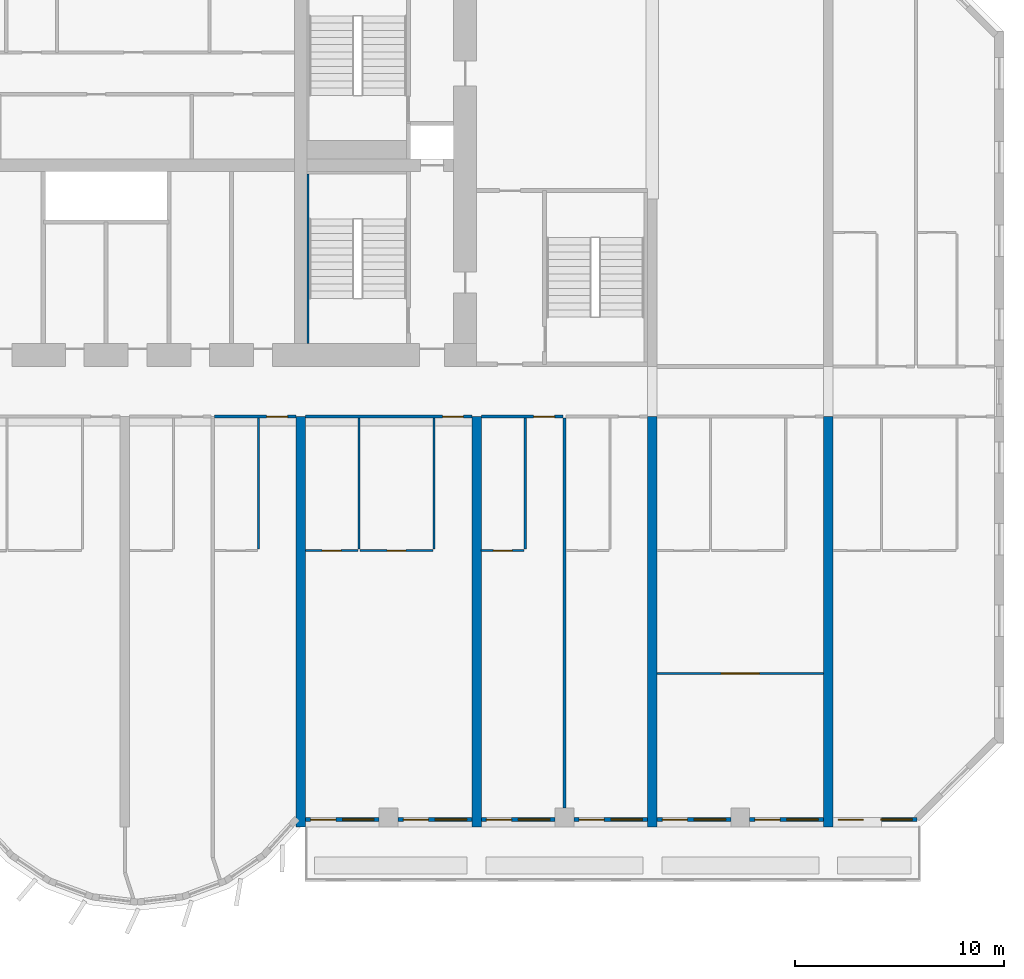
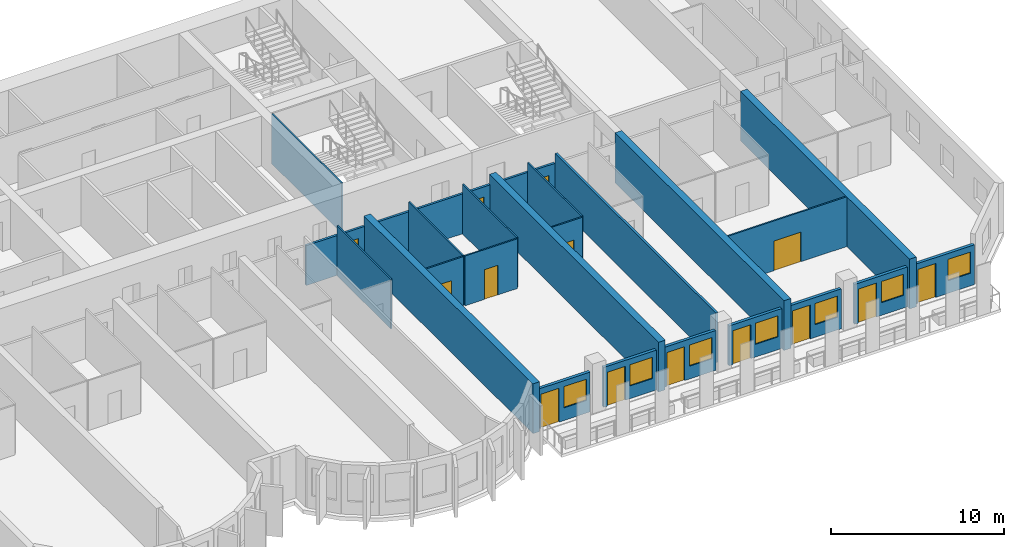
# One storey, part 8 of 14: 24 walls, 14 doors, 7 windows, 21 openings.
"""IFC4 building model written with IfcOpenShell, lengths in metres."""

from ifc_helpers import new_model, si_unit, direction, frame, frame_2d, origin, place, context, subcontext, project, spatial, rectangle, extrude, source, transform, mapped, material, layer, layer_set, type_object, element, fill, save


model = new_model("IFC4")

# Units and contexts
model_context = context("Model", 3, precision=1e-05, world=origin(), true_north=direction((0.0, 1.0)))
body_context = subcontext(model_context, "Body", "Model", "MODEL_VIEW")
ifc_project = project(units=[si_unit("LENGTHUNIT", "METRE"), si_unit("AREAUNIT", "SQUARE_METRE"), si_unit("VOLUMEUNIT", "CUBIC_METRE"), si_unit("PLANEANGLEUNIT", "RADIAN"), si_unit("MASSUNIT", "GRAM", prefix="KILO")], contexts=[model_context])

# Site, building, storey
site_placement = place(None, origin())
site = spatial("IfcSite", under=ifc_project, at=site_placement, CompositionType="ELEMENT")
building_placement = place(site_placement, origin())
building = spatial("IfcBuilding", under=site, at=building_placement, Name="Vanashikhar Sky Hotel", CompositionType="ELEMENT")
storey_placement = place(building_placement, frame((0.0, 0.0, 43.0)))
storey = spatial("IfcBuildingStorey", under=building, at=storey_placement, Name="L09", CompositionType="ELEMENT", Elevation=43.0)

# Walls
ifc_material_1 = material(Name="Concrete M80", Category="concrete")
ifc_layer_1 = layer(ifc_material_1, 0.449951171875)
ifc_layer_set_1 = layer_set([ifc_layer_1], Name="RC shear wall 450 Concrete M80")
wall_type_1 = type_object("IfcWallType", Name="RC shear wall 450 Concrete M80", PredefinedType="SHEAR", material=ifc_layer_set_1)
shared_shape_1 = source(origin(), body_context, "Body", "SweptSolid", [
    extrude(rectangle(XDim=19.60009765625, YDim=0.449951171875, at=frame_2d((9.800048828125, 0.0))), origin(), (0.0, 0.0, 1.0), 3.52001953125),
])
for number, where, z_axis, x_axis, name in (
    (1, (67.199951171875, 0.0, 0.0), (0.0, 0.0, 1.0), (0.0, 1.0, 0.0), "CW-L09-XW09-1"),
    (2, (75.60009765625, 0.0, 0.0), (0.0, 0.0, 1.0), (0.0, 1.0, 0.0), "CW-L09-XW10-1"),
    (3, (84.0, 0.0, 0.0), (0.0, 0.0, 1.0), (0.0, 1.0, 0.0), "CW-L09-XW11-1"),
    (4, (92.39990234375, 0.0, 0.0), (0.0, 0.0, 1.0), (0.0, 1.0, 0.0), "CW-L09-XW12-1"),
):
    element("IfcWall", number, at=place(storey_placement, frame(where, z_axis=z_axis, x_axis=x_axis)), inside=storey, type_object=wall_type_1, Name=name, PredefinedType="SHEAR", context=body_context, shape_type="MappedRepresentation", body=[
        mapped(shared_shape_1, transform((0.0, 0.0, 0.0), scale=1.0)),
    ])

# Wall, openings, window, door
ifc_material_2 = material(Name="Concrete M50", Category="concrete")
ifc_layer_2 = layer(ifc_material_2, 0.199951171875)
ifc_layer_set_2 = layer_set([ifc_layer_2], Name="Front window wall 200")
wall_type_2 = type_object("IfcWallType", Name="Front window wall 200", PredefinedType="SOLIDWALL", material=ifc_layer_set_2)
shared_shape_2 = source(origin(), body_context, "Body", "SweptSolid", [
    extrude(rectangle(XDim=4.030029296875, YDim=0.199951171875, at=frame_2d((2.01513671875, 0.0))), origin(), (0.0, 0.0, 1.0), 2.820068359375),
])
wall_1_placement = place(storey_placement, frame((92.625, 0.35009765625, 0.0), z_axis=(0.0, 0.0, 1.0), x_axis=(1.0, 0.0, 0.0)))
wall_1 = element("IfcWall", 5, at=wall_1_placement, inside=storey, type_object=wall_type_2, Name="Front window wall", PredefinedType="SOLIDWALL", context=body_context, shape_type="MappedRepresentation", body=[
    mapped(shared_shape_2, transform((0.0, 0.0, 0.0), scale=1.0)),
])
shared_shape_3 = source(origin(), body_context, "Body", "SweptSolid", [
    extrude(rectangle(XDim=1.199951171875, YDim=2.39990234375, at=frame_2d((0.60009765625, 1.199951171875))), frame((0.0, 0.10986328125, 0.0), z_axis=(0.0, -1.0, 0.0), x_axis=(1.0, 0.0, 0.0)), (0.0, 0.0, 1.0), 0.219970703125),
])
opening_1_placement = place(wall_1_placement, frame((0.25, 0.0, 0.0)))
opening_1 = element("IfcOpeningElement", 6, at=opening_1_placement, cuts=wall_1, Name="Opening BD-14", PredefinedType="OPENING", context=body_context, shape_type="MappedRepresentation", body=[
    mapped(shared_shape_3, transform((0.0, 0.0, 0.0), scale=1.0)),
])
shared_shape_4 = source(origin(), body_context, "Body", "SweptSolid", [
    extrude(rectangle(XDim=1.5, YDim=1.5, at=frame_2d((0.75, 0.75))), frame((0.0, 0.10986328125, 0.0), z_axis=(0.0, -1.0, 0.0), x_axis=(1.0, 0.0, 0.0)), (0.0, 0.0, 1.0), 0.219970703125),
])
opening_2_placement = place(wall_1_placement, frame((2.280029296875, 0.0, 0.89990234375)))
opening_2 = element("IfcOpeningElement", 7, at=opening_2_placement, cuts=wall_1, Name="Opening WN-1", PredefinedType="OPENING", context=body_context, shape_type="MappedRepresentation", body=[
    mapped(shared_shape_4, transform((0.0, 0.0, 0.0), scale=1.0)),
])
ifc_material_3 = material(Name="Glass", Category="glass")
window_type = type_object("IfcWindowType", Name="Window 1500 x 1500", PartitioningType="SINGLE_PANEL", PredefinedType="WINDOW", material=ifc_material_3)
shared_shape_5 = source(origin(), body_context, "Body", "SweptSolid", [
    extrude(rectangle(XDim=1.5, YDim=1.5, at=frame_2d((0.75, 0.75))), frame((0.0, 0.030029296875, 0.0), z_axis=(0.0, -1.0, 0.0), x_axis=(1.0, 0.0, 0.0)), (0.0, 0.0, 1.0), 0.06005859375),
])
window_1_placement = place(opening_2_placement, origin())
window_1 = element("IfcWindow", 8, at=window_1_placement, inside=storey, type_object=window_type, Name="Window WN-1", OverallHeight=1.5, OverallWidth=1.5, PartitioningType="SINGLE_PANEL", PredefinedType="WINDOW", context=body_context, shape_type="MappedRepresentation", body=[
    mapped(shared_shape_5, transform((0.0, 0.0, 0.0), scale=1.0)),
])
fill(opening_2, window_1)
ifc_material_4 = material(Name="Aluminium", Category="aluminium")
door_type_1 = type_object("IfcDoorType", Name="Balcony sliding door 1200 x 2400", OperationType="NOTDEFINED", PredefinedType="DOOR", material=ifc_material_4)
shared_shape_6 = source(origin(), body_context, "Body", "SweptSolid", [
    extrude(rectangle(XDim=1.199951171875, YDim=2.39990234375, at=frame_2d((0.60009765625, 1.199951171875))), frame((0.0, 0.02490234375, 0.0), z_axis=(0.0, -1.0, 0.0), x_axis=(1.0, 0.0, 0.0)), (0.0, 0.0, 1.0), 0.050048828125),
])
door_1_placement = place(opening_1_placement, origin())
door_1 = element("IfcDoor", 9, at=door_1_placement, inside=storey, type_object=door_type_1, Name="Balcony sliding door", OperationType="SLIDING_TO_RIGHT", OverallHeight=2.39990234375, OverallWidth=1.199951171875, PredefinedType="DOOR", context=body_context, shape_type="MappedRepresentation", body=[
    mapped(shared_shape_6, transform((0.0, 0.0, 0.0), scale=1.0)),
])
fill(opening_1, door_1)

shared_shape_7 = source(origin(), body_context, "Body", "SweptSolid", [
    extrude(rectangle(XDim=3.52490234375, YDim=0.199951171875, at=frame_2d((1.762451171875, 0.0))), origin(), (0.0, 0.0, 1.0), 2.820068359375),
])
wall_2_placement = place(storey_placement, frame((67.425048828125, 0.35009765625, 0.0), z_axis=(0.0, 0.0, 1.0), x_axis=(1.0, 0.0, 0.0)))
wall_2 = element("IfcWall", 10, at=wall_2_placement, inside=storey, type_object=wall_type_2, Name="Front window wall", PredefinedType="SOLIDWALL", context=body_context, shape_type="MappedRepresentation", body=[
    mapped(shared_shape_7, transform((0.0, 0.0, 0.0), scale=1.0)),
])
opening_3_placement = place(wall_2_placement, frame((0.25, 0.0, 0.0)))
opening_3 = element("IfcOpeningElement", 11, at=opening_3_placement, cuts=wall_2, Name="Opening BD-08", PredefinedType="OPENING", context=body_context, shape_type="MappedRepresentation", body=[
    mapped(shared_shape_3, transform((0.0, 0.0, 0.0), scale=1.0)),
])
opening_4_placement = place(wall_2_placement, frame((1.77490234375, 0.0, 0.89990234375)))
opening_4 = element("IfcOpeningElement", 12, at=opening_4_placement, cuts=wall_2, Name="Opening WN-1", PredefinedType="OPENING", context=body_context, shape_type="MappedRepresentation", body=[
    mapped(shared_shape_4, transform((0.0, 0.0, 0.0), scale=1.0)),
])
window_2_placement = place(opening_4_placement, origin())
window_2 = element("IfcWindow", 13, at=window_2_placement, inside=storey, type_object=window_type, Name="Window WN-1", OverallHeight=1.5, OverallWidth=1.5, PartitioningType="SINGLE_PANEL", PredefinedType="WINDOW", context=body_context, shape_type="MappedRepresentation", body=[
    mapped(shared_shape_5, transform((0.0, 0.0, 0.0), scale=1.0)),
])
fill(opening_4, window_2)
door_2_placement = place(opening_3_placement, origin())
door_2 = element("IfcDoor", 14, at=door_2_placement, inside=storey, type_object=door_type_1, Name="Balcony sliding door", OperationType="SLIDING_TO_RIGHT", OverallHeight=2.39990234375, OverallWidth=1.199951171875, PredefinedType="DOOR", context=body_context, shape_type="MappedRepresentation", body=[
    mapped(shared_shape_6, transform((0.0, 0.0, 0.0), scale=1.0)),
])
fill(opening_3, door_2)

wall_3_placement = place(storey_placement, frame((71.85009765625, 0.35009765625, 0.0), z_axis=(0.0, 0.0, 1.0), x_axis=(1.0, 0.0, 0.0)))
wall_3 = element("IfcWall", 15, at=wall_3_placement, inside=storey, type_object=wall_type_2, Name="Front window wall", PredefinedType="SOLIDWALL", context=body_context, shape_type="MappedRepresentation", body=[
    mapped(shared_shape_7, transform((0.0, 0.0, 0.0), scale=1.0)),
])
opening_5_placement = place(wall_3_placement, frame((0.25, 0.0, 0.0)))
opening_5 = element("IfcOpeningElement", 16, at=opening_5_placement, cuts=wall_3, Name="Opening BD-09", PredefinedType="OPENING", context=body_context, shape_type="MappedRepresentation", body=[
    mapped(shared_shape_3, transform((0.0, 0.0, 0.0), scale=1.0)),
])
opening_6_placement = place(wall_3_placement, frame((1.77490234375, 0.0, 0.89990234375)))
opening_6 = element("IfcOpeningElement", 17, at=opening_6_placement, cuts=wall_3, Name="Opening WN-1", PredefinedType="OPENING", context=body_context, shape_type="MappedRepresentation", body=[
    mapped(shared_shape_4, transform((0.0, 0.0, 0.0), scale=1.0)),
])
window_3_placement = place(opening_6_placement, origin())
window_3 = element("IfcWindow", 18, at=window_3_placement, inside=storey, type_object=window_type, Name="Window WN-1", OverallHeight=1.5, OverallWidth=1.5, PartitioningType="SINGLE_PANEL", PredefinedType="WINDOW", context=body_context, shape_type="MappedRepresentation", body=[
    mapped(shared_shape_5, transform((0.0, 0.0, 0.0), scale=1.0)),
])
fill(opening_6, window_3)
door_3_placement = place(opening_5_placement, origin())
door_3 = element("IfcDoor", 19, at=door_3_placement, inside=storey, type_object=door_type_1, Name="Balcony sliding door", OperationType="SLIDING_TO_LEFT", OverallHeight=2.39990234375, OverallWidth=1.199951171875, PredefinedType="DOOR", context=body_context, shape_type="MappedRepresentation", body=[
    mapped(shared_shape_6, transform((0.0, 0.0, 0.0), scale=1.0)),
])
fill(opening_5, door_3)

wall_4_placement = place(storey_placement, frame((80.25, 0.35009765625, 0.0), z_axis=(0.0, 0.0, 1.0), x_axis=(1.0, 0.0, 0.0)))
wall_4 = element("IfcWall", 20, at=wall_4_placement, inside=storey, type_object=wall_type_2, Name="Front window wall", PredefinedType="SOLIDWALL", context=body_context, shape_type="MappedRepresentation", body=[
    mapped(shared_shape_7, transform((0.0, 0.0, 0.0), scale=1.0)),
])
opening_7_placement = place(wall_4_placement, frame((0.25, 0.0, 0.0)))
opening_7 = element("IfcOpeningElement", 21, at=opening_7_placement, cuts=wall_4, Name="Opening BD-11", PredefinedType="OPENING", context=body_context, shape_type="MappedRepresentation", body=[
    mapped(shared_shape_3, transform((0.0, 0.0, 0.0), scale=1.0)),
])
opening_8_placement = place(wall_4_placement, frame((1.77490234375, 0.0, 0.89990234375)))
opening_8 = element("IfcOpeningElement", 22, at=opening_8_placement, cuts=wall_4, Name="Opening WN-1", PredefinedType="OPENING", context=body_context, shape_type="MappedRepresentation", body=[
    mapped(shared_shape_4, transform((0.0, 0.0, 0.0), scale=1.0)),
])
window_4_placement = place(opening_8_placement, origin())
window_4 = element("IfcWindow", 23, at=window_4_placement, inside=storey, type_object=window_type, Name="Window WN-1", OverallHeight=1.5, OverallWidth=1.5, PartitioningType="SINGLE_PANEL", PredefinedType="WINDOW", context=body_context, shape_type="MappedRepresentation", body=[
    mapped(shared_shape_5, transform((0.0, 0.0, 0.0), scale=1.0)),
])
fill(opening_8, window_4)
door_4_placement = place(opening_7_placement, origin())
door_4 = element("IfcDoor", 24, at=door_4_placement, inside=storey, type_object=door_type_1, Name="Balcony sliding door", OperationType="SLIDING_TO_LEFT", OverallHeight=2.39990234375, OverallWidth=1.199951171875, PredefinedType="DOOR", context=body_context, shape_type="MappedRepresentation", body=[
    mapped(shared_shape_6, transform((0.0, 0.0, 0.0), scale=1.0)),
])
fill(opening_7, door_4)

wall_5_placement = place(storey_placement, frame((84.22509765625, 0.35009765625, 0.0), z_axis=(0.0, 0.0, 1.0), x_axis=(1.0, 0.0, 0.0)))
wall_5 = element("IfcWall", 25, at=wall_5_placement, inside=storey, type_object=wall_type_2, Name="Front window wall", PredefinedType="SOLIDWALL", context=body_context, shape_type="MappedRepresentation", body=[
    mapped(shared_shape_7, transform((0.0, 0.0, 0.0), scale=1.0)),
])
opening_9_placement = place(wall_5_placement, frame((0.25, 0.0, 0.0)))
opening_9 = element("IfcOpeningElement", 26, at=opening_9_placement, cuts=wall_5, Name="Opening BD-12", PredefinedType="OPENING", context=body_context, shape_type="MappedRepresentation", body=[
    mapped(shared_shape_3, transform((0.0, 0.0, 0.0), scale=1.0)),
])
opening_10_placement = place(wall_5_placement, frame((1.77490234375, 0.0, 0.89990234375)))
opening_10 = element("IfcOpeningElement", 27, at=opening_10_placement, cuts=wall_5, Name="Opening WN-1", PredefinedType="OPENING", context=body_context, shape_type="MappedRepresentation", body=[
    mapped(shared_shape_4, transform((0.0, 0.0, 0.0), scale=1.0)),
])
window_5_placement = place(opening_10_placement, origin())
window_5 = element("IfcWindow", 28, at=window_5_placement, inside=storey, type_object=window_type, Name="Window WN-1", OverallHeight=1.5, OverallWidth=1.5, PartitioningType="SINGLE_PANEL", PredefinedType="WINDOW", context=body_context, shape_type="MappedRepresentation", body=[
    mapped(shared_shape_5, transform((0.0, 0.0, 0.0), scale=1.0)),
])
fill(opening_10, window_5)
door_5_placement = place(opening_9_placement, origin())
door_5 = element("IfcDoor", 29, at=door_5_placement, inside=storey, type_object=door_type_1, Name="Balcony sliding door", OperationType="SLIDING_TO_RIGHT", OverallHeight=2.39990234375, OverallWidth=1.199951171875, PredefinedType="DOOR", context=body_context, shape_type="MappedRepresentation", body=[
    mapped(shared_shape_6, transform((0.0, 0.0, 0.0), scale=1.0)),
])
fill(opening_9, door_5)

shared_shape_8 = source(origin(), body_context, "Body", "SweptSolid", [
    extrude(rectangle(XDim=3.525146484375, YDim=0.199951171875, at=frame_2d((1.7626953125, 0.0))), origin(), (0.0, 0.0, 1.0), 2.820068359375),
])
wall_6_placement = place(storey_placement, frame((75.824951171875, 0.35009765625, 0.0), z_axis=(0.0, 0.0, 1.0), x_axis=(1.0, 0.0, 0.0)))
wall_6 = element("IfcWall", 30, at=wall_6_placement, inside=storey, type_object=wall_type_2, Name="Front window wall", PredefinedType="SOLIDWALL", context=body_context, shape_type="MappedRepresentation", body=[
    mapped(shared_shape_8, transform((0.0, 0.0, 0.0), scale=1.0)),
])
opening_11_placement = place(wall_6_placement, frame((0.25, 0.0, 0.0)))
opening_11 = element("IfcOpeningElement", 31, at=opening_11_placement, cuts=wall_6, Name="Opening BD-10", PredefinedType="OPENING", context=body_context, shape_type="MappedRepresentation", body=[
    mapped(shared_shape_3, transform((0.0, 0.0, 0.0), scale=1.0)),
])
opening_12_placement = place(wall_6_placement, frame((1.77490234375, 0.0, 0.89990234375)))
opening_12 = element("IfcOpeningElement", 32, at=opening_12_placement, cuts=wall_6, Name="Opening WN-1", PredefinedType="OPENING", context=body_context, shape_type="MappedRepresentation", body=[
    mapped(shared_shape_4, transform((0.0, 0.0, 0.0), scale=1.0)),
])
window_6_placement = place(opening_12_placement, origin())
window_6 = element("IfcWindow", 33, at=window_6_placement, inside=storey, type_object=window_type, Name="Window WN-1", OverallHeight=1.5, OverallWidth=1.5, PartitioningType="SINGLE_PANEL", PredefinedType="WINDOW", context=body_context, shape_type="MappedRepresentation", body=[
    mapped(shared_shape_5, transform((0.0, 0.0, 0.0), scale=1.0)),
])
fill(opening_12, window_6)
door_6_placement = place(opening_11_placement, origin())
door_6 = element("IfcDoor", 34, at=door_6_placement, inside=storey, type_object=door_type_1, Name="Balcony sliding door", OperationType="SLIDING_TO_RIGHT", OverallHeight=2.39990234375, OverallWidth=1.199951171875, PredefinedType="DOOR", context=body_context, shape_type="MappedRepresentation", body=[
    mapped(shared_shape_6, transform((0.0, 0.0, 0.0), scale=1.0)),
])
fill(opening_11, door_6)

wall_7_placement = place(storey_placement, frame((88.64990234375, 0.35009765625, 0.0), z_axis=(0.0, 0.0, 1.0), x_axis=(1.0, 0.0, 0.0)))
wall_7 = element("IfcWall", 35, at=wall_7_placement, inside=storey, type_object=wall_type_2, Name="Front window wall", PredefinedType="SOLIDWALL", context=body_context, shape_type="MappedRepresentation", body=[
    mapped(shared_shape_8, transform((0.0, 0.0, 0.0), scale=1.0)),
])
opening_13_placement = place(wall_7_placement, frame((0.25, 0.0, 0.0)))
opening_13 = element("IfcOpeningElement", 36, at=opening_13_placement, cuts=wall_7, Name="Opening BD-13", PredefinedType="OPENING", context=body_context, shape_type="MappedRepresentation", body=[
    mapped(shared_shape_3, transform((0.0, 0.0, 0.0), scale=1.0)),
])
opening_14_placement = place(wall_7_placement, frame((1.77490234375, 0.0, 0.89990234375)))
opening_14 = element("IfcOpeningElement", 37, at=opening_14_placement, cuts=wall_7, Name="Opening WN-1", PredefinedType="OPENING", context=body_context, shape_type="MappedRepresentation", body=[
    mapped(shared_shape_4, transform((0.0, 0.0, 0.0), scale=1.0)),
])
window_7_placement = place(opening_14_placement, origin())
window_7 = element("IfcWindow", 38, at=window_7_placement, inside=storey, type_object=window_type, Name="Window WN-1", OverallHeight=1.5, OverallWidth=1.5, PartitioningType="SINGLE_PANEL", PredefinedType="WINDOW", context=body_context, shape_type="MappedRepresentation", body=[
    mapped(shared_shape_5, transform((0.0, 0.0, 0.0), scale=1.0)),
])
fill(opening_14, window_7)
door_7_placement = place(opening_13_placement, origin())
door_7 = element("IfcDoor", 39, at=door_7_placement, inside=storey, type_object=door_type_1, Name="Balcony sliding door", OperationType="SLIDING_TO_LEFT", OverallHeight=2.39990234375, OverallWidth=1.199951171875, PredefinedType="DOOR", context=body_context, shape_type="MappedRepresentation", body=[
    mapped(shared_shape_6, transform((0.0, 0.0, 0.0), scale=1.0)),
])
fill(opening_13, door_7)

# Wall
ifc_layer_3 = layer(ifc_material_2, 0.10009765625)
ifc_layer_set_3 = layer_set([ifc_layer_3], Name="Stair infill wall 100")
wall_type_3 = type_object("IfcWallType", Name="Stair infill wall 100", PredefinedType="SOLIDWALL", material=ifc_layer_set_3)
shared_shape_9 = source(origin(), body_context, "Body", "SweptSolid", [
    extrude(rectangle(XDim=8.099853515625, YDim=0.10009765625, at=frame_2d((4.0498046875, 0.0))), origin(), (0.0, 0.0, 1.0), 3.52001953125),
])
wall_8_placement = place(storey_placement, frame((67.550048828125, 23.10009765625, 0.0), z_axis=(0.0, 0.0, 1.0), x_axis=(0.0, 1.0, 0.0)))
element("IfcWall", 40, at=wall_8_placement, inside=storey, type_object=wall_type_3, Name="Stair infill wall 100", PredefinedType="SOLIDWALL", context=body_context, shape_type="MappedRepresentation", body=[
    mapped(shared_shape_9, transform((0.0, 0.0, 0.0), scale=1.0)),
])

# Wall, opening, door
ifc_material_5 = material(Name="Gypsum plasterboard partition")
ifc_layer_4 = layer(ifc_material_5, 0.10009765625)
ifc_layer_set_4 = layer_set([ifc_layer_4], Name="Wet room partition 100")
wall_type_4 = type_object("IfcWallType", Name="Wet room partition 100", PredefinedType="PARTITIONING", material=ifc_layer_set_4)
shared_shape_10 = source(origin(), body_context, "Body", "SweptSolid", [
    extrude(rectangle(XDim=2.050048828125, YDim=0.10009765625, at=frame_2d((1.02490234375, 0.0))), origin(), (0.0, 0.0, 1.0), 3.52001953125),
])
wall_9_placement = place(storey_placement, frame((75.824951171875, 13.199951171875, 0.0), z_axis=(0.0, 0.0, 1.0), x_axis=(1.0, 0.0, 0.0)))
wall_9 = element("IfcWall", 41, at=wall_9_placement, inside=storey, type_object=wall_type_4, Name="W-L09-PW051", PredefinedType="PARTITIONING", context=body_context, shape_type="MappedRepresentation", body=[
    mapped(shared_shape_10, transform((0.0, 0.0, 0.0), scale=1.0)),
])
shared_shape_11 = source(origin(), body_context, "Body", "SweptSolid", [
    extrude(rectangle(XDim=0.89990234375, YDim=2.10009765625, at=frame_2d((0.449951171875, 1.050048828125))), frame((0.0, 0.06005859375, 0.0), z_axis=(0.0, -1.0, 0.0), x_axis=(1.0, 0.0, 0.0)), (0.0, 0.0, 1.0), 0.1201171875),
])
opening_15_placement = place(wall_9_placement, frame((0.574951171875, 0.0, 0.0)))
opening_15 = element("IfcOpeningElement", 42, at=opening_15_placement, cuts=wall_9, Name="Opening D-02", PredefinedType="OPENING", context=body_context, shape_type="MappedRepresentation", body=[
    mapped(shared_shape_11, transform((0.0, 0.0, 0.0), scale=1.0)),
])
ifc_material_6 = material(Name="Timber door", Category="wood")
door_type_2 = type_object("IfcDoorType", Name="Internal door 900", OperationType="NOTDEFINED", PredefinedType="DOOR", material=ifc_material_6)
shared_shape_12 = source(origin(), body_context, "Body", "SweptSolid", [
    extrude(rectangle(XDim=0.89990234375, YDim=2.10009765625, at=frame_2d((0.449951171875, 1.050048828125))), frame((0.0, 0.02490234375, 0.0), z_axis=(0.0, -1.0, 0.0), x_axis=(1.0, 0.0, 0.0)), (0.0, 0.0, 1.0), 0.050048828125),
])
door_8_placement = place(opening_15_placement, origin())
door_8 = element("IfcDoor", 43, at=door_8_placement, inside=storey, type_object=door_type_2, Name="D-L09-030", OperationType="SINGLE_SWING_RIGHT", OverallHeight=2.10009765625, OverallWidth=0.89990234375, PredefinedType="DOOR", context=body_context, shape_type="MappedRepresentation", body=[
    mapped(shared_shape_12, transform((0.0, 0.0, 0.0), scale=1.0)),
])
fill(opening_15, door_8)

ifc_layer_5 = layer(ifc_material_5, 0.14990234375)
ifc_layer_set_5 = layer_set([ifc_layer_5], Name="Corridor and demising partition 150")
wall_type_5 = type_object("IfcWallType", Name="Corridor and demising partition 150", PredefinedType="PARTITIONING", material=ifc_layer_set_5)
shared_shape_13 = source(origin(), body_context, "Body", "SweptSolid", [
    extrude(rectangle(XDim=3.900146484375, YDim=0.14990234375, at=frame_2d((1.9501953125, 0.0))), origin(), (0.0, 0.0, 1.0), 2.820068359375),
])
wall_10_placement = place(storey_placement, frame((63.074951171875, 19.60009765625, 0.0), z_axis=(0.0, 0.0, 1.0), x_axis=(1.0, 0.0, 0.0)))
wall_10 = element("IfcWall", 44, at=wall_10_placement, inside=storey, type_object=wall_type_5, Name="W-L09-PW043", PredefinedType="PARTITIONING", context=body_context, shape_type="MappedRepresentation", body=[
    mapped(shared_shape_13, transform((0.0, 0.0, 0.0), scale=1.0)),
])
shared_shape_14 = source(origin(), body_context, "Body", "SweptSolid", [
    extrude(rectangle(XDim=1.0, YDim=2.10009765625, at=frame_2d((0.5, 1.050048828125))), frame((0.0, 0.0849609375, 0.0), z_axis=(0.0, -1.0, 0.0), x_axis=(1.0, 0.0, 0.0)), (0.0, 0.0, 1.0), 0.169921875),
])
opening_16_placement = place(wall_10_placement, frame((2.5, 0.0, 0.0)))
opening_16 = element("IfcOpeningElement", 45, at=opening_16_placement, cuts=wall_10, Name="Opening D-01", PredefinedType="OPENING", context=body_context, shape_type="MappedRepresentation", body=[
    mapped(shared_shape_14, transform((0.0, 0.0, 0.0), scale=1.0)),
])
ifc_material_7 = material(Name="Timber fire door", Category="wood")
door_type_3 = type_object("IfcDoorType", Name="Guest entry door 1000 FD30S", OperationType="NOTDEFINED", PredefinedType="DOOR", material=ifc_material_7)
shared_shape_15 = source(origin(), body_context, "Body", "SweptSolid", [
    extrude(rectangle(XDim=1.0, YDim=2.10009765625, at=frame_2d((0.5, 1.050048828125))), frame((0.0, 0.02490234375, 0.0), z_axis=(0.0, -1.0, 0.0), x_axis=(1.0, 0.0, 0.0)), (0.0, 0.0, 1.0), 0.050048828125),
])
door_9_placement = place(opening_16_placement, origin())
door_9 = element("IfcDoor", 46, at=door_9_placement, inside=storey, type_object=door_type_3, Name="D-L09-026", OperationType="SINGLE_SWING_RIGHT", OverallHeight=2.10009765625, OverallWidth=1.0, PredefinedType="DOOR", context=body_context, shape_type="MappedRepresentation", body=[
    mapped(shared_shape_15, transform((0.0, 0.0, 0.0), scale=1.0)),
])
fill(opening_16, door_9)

wall_11_placement = place(storey_placement, frame((75.824951171875, 19.60009765625, 0.0), z_axis=(0.0, 0.0, 1.0), x_axis=(1.0, 0.0, 0.0)))
wall_11 = element("IfcWall", 47, at=wall_11_placement, inside=storey, type_object=wall_type_5, Name="W-L09-PW052", PredefinedType="PARTITIONING", context=body_context, shape_type="MappedRepresentation", body=[
    mapped(shared_shape_13, transform((0.0, 0.0, 0.0), scale=1.0)),
])
opening_17_placement = place(wall_11_placement, frame((2.5, 0.0, 0.0)))
opening_17 = element("IfcOpeningElement", 48, at=opening_17_placement, cuts=wall_11, Name="Opening D-01", PredefinedType="OPENING", context=body_context, shape_type="MappedRepresentation", body=[
    mapped(shared_shape_14, transform((0.0, 0.0, 0.0), scale=1.0)),
])
door_10_placement = place(opening_17_placement, origin())
door_10 = element("IfcDoor", 49, at=door_10_placement, inside=storey, type_object=door_type_3, Name="D-L09-031", OperationType="SINGLE_SWING_RIGHT", OverallHeight=2.10009765625, OverallWidth=1.0, PredefinedType="DOOR", context=body_context, shape_type="MappedRepresentation", body=[
    mapped(shared_shape_15, transform((0.0, 0.0, 0.0), scale=1.0)),
])
fill(opening_17, door_10)

# Wall
shared_shape_16 = source(origin(), body_context, "Body", "SweptSolid", [
    extrude(rectangle(XDim=18.625, YDim=0.14990234375, at=frame_2d((9.3125, 0.0))), origin(), (0.0, 0.0, 1.0), 3.52001953125),
])
wall_12_placement = place(storey_placement, frame((79.800048828125, 0.89990234375, 0.0), z_axis=(0.0, 0.0, 1.0), x_axis=(0.0, 1.0, 0.0)))
element("IfcWall", 50, at=wall_12_placement, inside=storey, type_object=wall_type_5, Name="W-L09-PW056", PredefinedType="PARTITIONING", context=body_context, shape_type="MappedRepresentation", body=[
    mapped(shared_shape_16, transform((0.0, 0.0, 0.0), scale=1.0)),
])

# Wall, opening, door
shared_shape_17 = source(origin(), body_context, "Body", "SweptSolid", [
    extrude(rectangle(XDim=3.5, YDim=0.10009765625, at=frame_2d((1.75, 0.0))), origin(), (0.0, 0.0, 1.0), 3.52001953125),
])
wall_13_placement = place(storey_placement, frame((70.02490234375, 13.199951171875, 0.0), z_axis=(0.0, 0.0, 1.0), x_axis=(1.0, 0.0, 0.0)))
wall_13 = element("IfcWall", 51, at=wall_13_placement, inside=storey, type_object=wall_type_4, Name="W-L09-PW047", PredefinedType="PARTITIONING", context=body_context, shape_type="MappedRepresentation", body=[
    mapped(shared_shape_17, transform((0.0, 0.0, 0.0), scale=1.0)),
])
opening_18_placement = place(wall_13_placement, frame((1.300048828125, 0.0, 0.0)))
opening_18 = element("IfcOpeningElement", 52, at=opening_18_placement, cuts=wall_13, Name="Opening D-02", PredefinedType="OPENING", context=body_context, shape_type="MappedRepresentation", body=[
    mapped(shared_shape_11, transform((0.0, 0.0, 0.0), scale=1.0)),
])
door_11_placement = place(opening_18_placement, origin())
door_11 = element("IfcDoor", 53, at=door_11_placement, inside=storey, type_object=door_type_2, Name="D-L09-027", OperationType="SINGLE_SWING_RIGHT", OverallHeight=2.10009765625, OverallWidth=0.89990234375, PredefinedType="DOOR", context=body_context, shape_type="MappedRepresentation", body=[
    mapped(shared_shape_12, transform((0.0, 0.0, 0.0), scale=1.0)),
])
fill(opening_18, door_11)

# Walls
shared_shape_18 = source(origin(), body_context, "Body", "SweptSolid", [
    extrude(rectangle(XDim=6.25, YDim=0.10009765625, at=frame_2d((3.125, 0.0))), origin(), (0.0, 0.0, 1.0), 3.52001953125),
])
for number, where, z_axis, x_axis, name in (
    (54, (65.175048828125, 13.27490234375, 0.0), (0.0, 0.0, 1.0), (0.0, 1.0, 0.0), "W-L09-PW041"),
    (55, (73.574951171875, 13.27490234375, 0.0), (0.0, 0.0, 1.0), (0.0, 1.0, 0.0), "W-L09-PW045"),
    (56, (69.97509765625, 13.27490234375, 0.0), (0.0, 0.0, 1.0), (0.0, 1.0, 0.0), "W-L09-PW046"),
    (57, (77.925048828125, 13.27490234375, 0.0), (0.0, 0.0, 1.0), (0.0, 1.0, 0.0), "W-L09-PW050"),
):
    element("IfcWall", number, at=place(storey_placement, frame(where, z_axis=z_axis, x_axis=x_axis)), inside=storey, type_object=wall_type_4, Name=name, PredefinedType="PARTITIONING", context=body_context, shape_type="MappedRepresentation", body=[
        mapped(shared_shape_18, transform((0.0, 0.0, 0.0), scale=1.0)),
    ])

# Wall, opening, door
shared_shape_19 = source(origin(), body_context, "Body", "SweptSolid", [
    extrude(rectangle(XDim=2.5, YDim=0.10009765625, at=frame_2d((1.25, 0.0))), origin(), (0.0, 0.0, 1.0), 3.52001953125),
])
wall_14_placement = place(storey_placement, frame((67.425048828125, 13.199951171875, 0.0), z_axis=(0.0, 0.0, 1.0), x_axis=(1.0, 0.0, 0.0)))
wall_14 = element("IfcWall", 58, at=wall_14_placement, inside=storey, type_object=wall_type_4, Name="W-L09-PW048", PredefinedType="PARTITIONING", context=body_context, shape_type="MappedRepresentation", body=[
    mapped(shared_shape_19, transform((0.0, 0.0, 0.0), scale=1.0)),
])
opening_19_placement = place(wall_14_placement, frame((0.800048828125, 0.0, 0.0)))
opening_19 = element("IfcOpeningElement", 59, at=opening_19_placement, cuts=wall_14, Name="Opening D-02", PredefinedType="OPENING", context=body_context, shape_type="MappedRepresentation", body=[
    mapped(shared_shape_11, transform((0.0, 0.0, 0.0), scale=1.0)),
])
door_12_placement = place(opening_19_placement, origin())
door_12 = element("IfcDoor", 60, at=door_12_placement, inside=storey, type_object=door_type_2, Name="D-L09-028", OperationType="SINGLE_SWING_RIGHT", OverallHeight=2.10009765625, OverallWidth=0.89990234375, PredefinedType="DOOR", context=body_context, shape_type="MappedRepresentation", body=[
    mapped(shared_shape_12, transform((0.0, 0.0, 0.0), scale=1.0)),
])
fill(opening_19, door_12)

shared_shape_20 = source(origin(), body_context, "Body", "SweptSolid", [
    extrude(rectangle(XDim=7.949951171875, YDim=0.14990234375, at=frame_2d((3.97509765625, 0.0))), origin(), (0.0, 0.0, 1.0), 2.820068359375),
])
wall_15_placement = place(storey_placement, frame((67.425048828125, 19.60009765625, 0.0), z_axis=(0.0, 0.0, 1.0), x_axis=(1.0, 0.0, 0.0)))
wall_15 = element("IfcWall", 61, at=wall_15_placement, inside=storey, type_object=wall_type_5, Name="W-L09-PW049", PredefinedType="PARTITIONING", context=body_context, shape_type="MappedRepresentation", body=[
    mapped(shared_shape_20, transform((0.0, 0.0, 0.0), scale=1.0)),
])
opening_20_placement = place(wall_15_placement, frame((6.550048828125, 0.0, 0.0)))
opening_20 = element("IfcOpeningElement", 62, at=opening_20_placement, cuts=wall_15, Name="Opening D-01", PredefinedType="OPENING", context=body_context, shape_type="MappedRepresentation", body=[
    mapped(shared_shape_14, transform((0.0, 0.0, 0.0), scale=1.0)),
])
door_13_placement = place(opening_20_placement, origin())
door_13 = element("IfcDoor", 63, at=door_13_placement, inside=storey, type_object=door_type_3, Name="D-L09-029", OperationType="SINGLE_SWING_RIGHT", OverallHeight=2.10009765625, OverallWidth=1.0, PredefinedType="DOOR", context=body_context, shape_type="MappedRepresentation", body=[
    mapped(shared_shape_15, transform((0.0, 0.0, 0.0), scale=1.0)),
])
fill(opening_20, door_13)

shared_shape_21 = source(origin(), body_context, "Body", "SweptSolid", [
    extrude(rectangle(XDim=7.949951171875, YDim=0.10009765625, at=frame_2d((3.97509765625, 0.0))), origin(), (0.0, 0.0, 1.0), 3.52001953125),
])
wall_16_placement = place(storey_placement, frame((84.22509765625, 7.326904296875, 0.0), z_axis=(0.0, 0.0, 1.0), x_axis=(1.0, 0.0, 0.0)))
wall_16 = element("IfcWall", 64, at=wall_16_placement, inside=storey, type_object=wall_type_4, Name="W-L09-PW061", PredefinedType="PARTITIONING", context=body_context, shape_type="MappedRepresentation", body=[
    mapped(shared_shape_21, transform((0.0, 0.0, 0.0), scale=1.0)),
])
shared_shape_22 = source(origin(), body_context, "Body", "SweptSolid", [
    extrude(rectangle(XDim=1.800048828125, YDim=2.10009765625, at=frame_2d((0.89990234375, 1.050048828125))), frame((0.0, 0.06005859375, 0.0), z_axis=(0.0, -1.0, 0.0), x_axis=(1.0, 0.0, 0.0)), (0.0, 0.0, 1.0), 0.1201171875),
])
opening_21_placement = place(wall_16_placement, frame((3.074951171875, 0.0, 0.0)))
opening_21 = element("IfcOpeningElement", 65, at=opening_21_placement, cuts=wall_16, Name="Opening D-08", PredefinedType="OPENING", context=body_context, shape_type="MappedRepresentation", body=[
    mapped(shared_shape_22, transform((0.0, 0.0, 0.0), scale=1.0)),
])
door_type_4 = type_object("IfcDoorType", Name="Double leaf door 1800", OperationType="NOTDEFINED", PredefinedType="DOOR", material=ifc_material_6)
shared_shape_23 = source(origin(), body_context, "Body", "SweptSolid", [
    extrude(rectangle(XDim=1.800048828125, YDim=2.10009765625, at=frame_2d((0.89990234375, 1.050048828125))), frame((0.0, 0.02490234375, 0.0), z_axis=(0.0, -1.0, 0.0), x_axis=(1.0, 0.0, 0.0)), (0.0, 0.0, 1.0), 0.050048828125),
])
door_14_placement = place(opening_21_placement, origin())
door_14 = element("IfcDoor", 66, at=door_14_placement, inside=storey, type_object=door_type_4, Name="D-L09-036", OperationType="DOUBLE_DOOR_SINGLE_SWING", OverallHeight=2.10009765625, OverallWidth=1.800048828125, PredefinedType="DOOR", context=body_context, shape_type="MappedRepresentation", body=[
    mapped(shared_shape_23, transform((0.0, 0.0, 0.0), scale=1.0)),
])
fill(opening_21, door_14)

save(model, "model.ifc")
